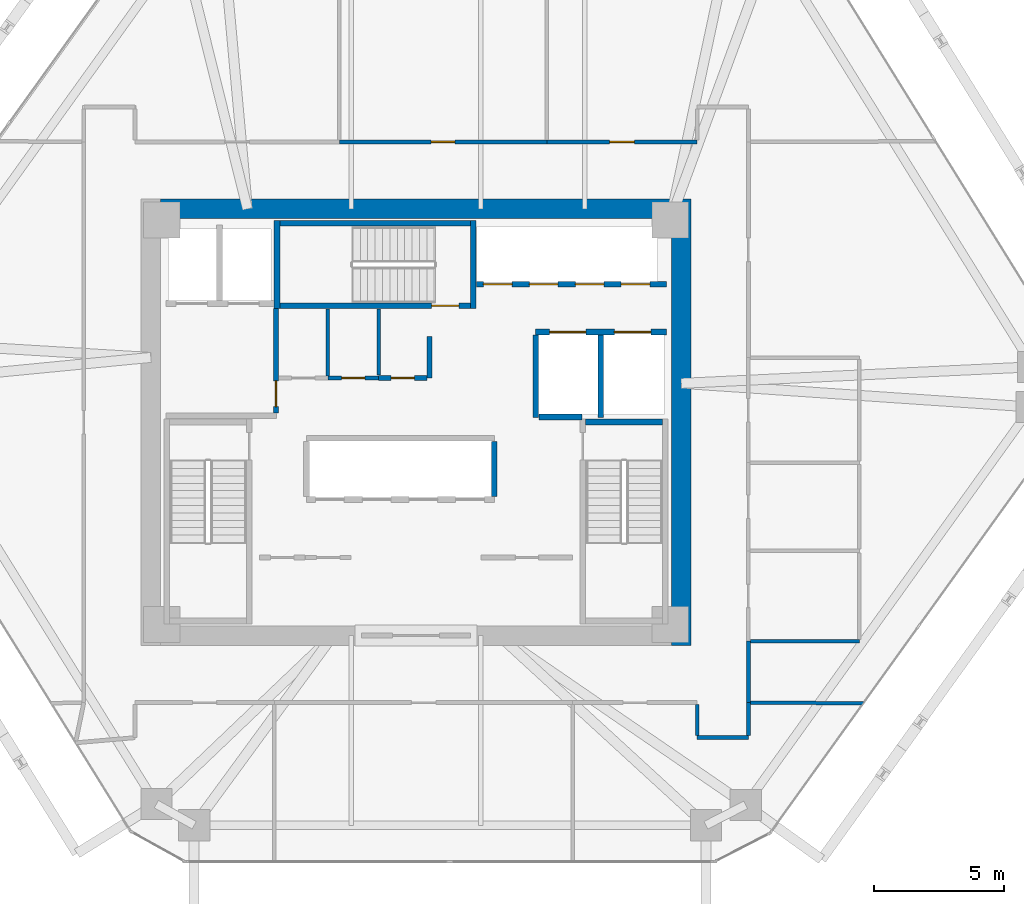
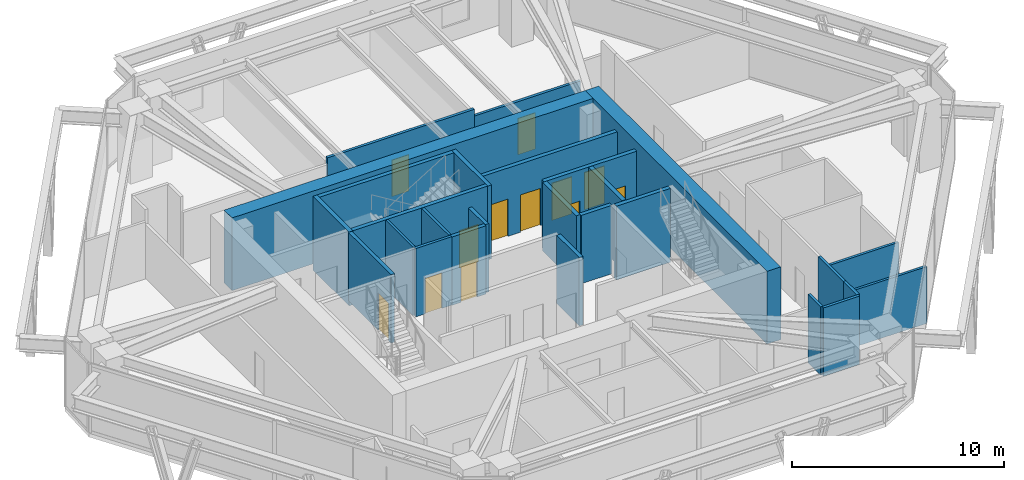
# One storey, part 11 of 14: 27 walls, 12 doors, 12 openings.
"""IFC4 building model written with IfcOpenShell, lengths in metres."""

import ifcopenshell
import ifcopenshell.guid

model = None  # the IFC model being written
_history = None  # IfcOwnerHistory: only IFC2X3 demands one
_inside = {}  # id of a spatial element -> (the spatial element, [elements in it])
_under = {}  # id of a project, library or spatial element -> (it, [spatial elements below it])
_declared = {}  # id of a project -> (the project, [libraries it declares])
_typed = {}  # id of a type object -> (the type object, [elements of that type])
_made_of = {}  # id of a material, layer set ... -> (it, [elements and type objects made of it])


def new_model(schema):
    """Start an empty IFC model of exactly this schema.

    Asked for "IFC4X3", IfcOpenShell would pick the latest addendum, in which some entities
    have other attributes; the version numbers below select the first issue.
    IFC2X3 requires an IfcOwnerHistory on every rooted entity: one is made here for all.
    """
    global model, _history
    if schema == "IFC4X3":
        model = ifcopenshell.file(schema_version=(4, 3, 0, 0))
    else:
        model = ifcopenshell.file(schema=schema)
    _inside.clear()
    _under.clear()
    _declared.clear()
    _typed.clear()
    _made_of.clear()
    _history = None
    if model.schema == "IFC2X3":
        org = make("IfcOrganization", Name="unknown")
        user = make(
            "IfcPersonAndOrganization",
            ThePerson=make("IfcPerson", FamilyName="unknown"),
            TheOrganization=org,
        )
        app = make(
            "IfcApplication",
            ApplicationDeveloper=org,
            Version="unknown",
            ApplicationFullName="unknown",
            ApplicationIdentifier="unknown",
        )
        _history = make(
            "IfcOwnerHistory",
            OwningUser=user,
            OwningApplication=app,
            ChangeAction="ADDED",
            CreationDate=0,
        )
    return model


def make(cls, **values):
    """One entity of the class cls with the attributes given. An attribute that is None is left unset."""
    return model.create_entity(
        cls, **{name: value for name, value in values.items() if value is not None}
    )


def rooted(cls, **values):
    """An entity with a GlobalId (a new one), such as an element, a storey or a relation."""
    return make(cls, GlobalId=ifcopenshell.guid.new(), OwnerHistory=_history, **values)


def si_unit(unit_type, name, prefix=None):
    """IfcSIUnit, for example si_unit("LENGTHUNIT", "METRE", prefix="MILLI")."""
    return make("IfcSIUnit", UnitType=unit_type, Prefix=prefix, Name=name)


def assignment(units):
    """IfcUnitAssignment: the units of a project."""
    return None if units is None else make("IfcUnitAssignment", Units=units)


def point(xyz):
    """IfcCartesianPoint."""
    return None if xyz is None else make("IfcCartesianPoint", Coordinates=xyz)


def direction(xyz):
    """IfcDirection."""
    return None if xyz is None else make("IfcDirection", DirectionRatios=xyz)


def frame(location, z_axis=None, x_axis=None):
    """IfcAxis2Placement3D, a coordinate frame: its origin and axes. An axis left out is left unset."""
    return make(
        "IfcAxis2Placement3D",
        Location=point(location),
        Axis=direction(z_axis),
        RefDirection=direction(x_axis),
    )


def frame_2d(location, x_axis=None):
    """IfcAxis2Placement2D, a coordinate frame in the plane: its origin and x axis."""
    return make(
        "IfcAxis2Placement2D", Location=point(location), RefDirection=direction(x_axis)
    )


def origin():
    """The frame at (0, 0, 0) with its axes left unset."""
    return frame((0.0, 0.0, 0.0))


def place(relative_to, where):
    """IfcLocalPlacement: puts the frame where relative to a parent placement (None: the world)."""
    return make(
        "IfcLocalPlacement", PlacementRelTo=relative_to, RelativePlacement=where
    )


def context(
    kind, dimensions, precision=None, world=None, true_north=None, identifier=None
):
    """IfcGeometricRepresentationContext, for example the 3D "Model" context."""
    return make(
        "IfcGeometricRepresentationContext",
        ContextIdentifier=identifier,
        ContextType=kind,
        CoordinateSpaceDimension=dimensions,
        Precision=precision,
        WorldCoordinateSystem=world,
        TrueNorth=true_north,
    )


def subcontext(parent, identifier, kind, view, scale=None):
    """IfcGeometricRepresentationSubContext, for example "Body" below "Model"."""
    return make(
        "IfcGeometricRepresentationSubContext",
        ContextIdentifier=identifier,
        ContextType=kind,
        ParentContext=parent,
        TargetScale=scale,
        TargetView=view,
    )


def project(units=None, contexts=None):
    """IfcProject with its units and contexts."""
    return rooted(
        "IfcProject",
        Name="project",
        RepresentationContexts=contexts,
        UnitsInContext=assignment(units),
    )


def spatial(cls, under=None, at=None, **own):
    """A site, building, storey or space (cls), placed at a placement, below another one or the project."""
    s = rooted(cls, ObjectPlacement=at, **own)
    if under is not None:
        _under.setdefault(under.id(), (under, []))[1].append(s)
    return s


def profile(cls, at=None, kind="AREA", **sizes):
    """A parametric profile (cls). Its sizes go by their IFC names, for example OverallWidth=200.0."""
    return make(cls, ProfileType=kind, Position=at, **sizes)


def rectangle(**sizes):
    """IfcRectangleProfileDef."""
    return profile("IfcRectangleProfileDef", **sizes)


def extrude(swept, where, along, depth):
    """IfcExtrudedAreaSolid: the profile swept, set in the frame where, extruded along a direction by depth."""
    return make(
        "IfcExtrudedAreaSolid",
        SweptArea=swept,
        Position=where,
        ExtrudedDirection=direction(along),
        Depth=depth,
    )


def shape(context_of_items, identifier, shape_type, items):
    """IfcShapeRepresentation: the items that make up one representation, for example the "Body"."""
    return make(
        "IfcShapeRepresentation",
        ContextOfItems=context_of_items,
        RepresentationIdentifier=identifier,
        RepresentationType=shape_type,
        Items=items,
    )


def source(mapping_origin, context_of_items, identifier, shape_type, items):
    """IfcRepresentationMap: a shape defined once, which mapped items show again and again."""
    return make(
        "IfcRepresentationMap",
        MappingOrigin=mapping_origin,
        MappedRepresentation=shape(context_of_items, identifier, shape_type, items),
    )


def transform(
    local_origin,
    x_axis=None,
    y_axis=None,
    z_axis=None,
    scale=None,
    scale2=None,
    scale3=None,
    uniform=True,
):
    """IfcCartesianTransformationOperator3D, or its non-uniform kind. x_axis, y_axis, z_axis: its Axis1, 2, 3."""
    if uniform:
        return make(
            "IfcCartesianTransformationOperator3D",
            Axis1=direction(x_axis),
            Axis2=direction(y_axis),
            LocalOrigin=point(local_origin),
            Scale=scale,
            Axis3=direction(z_axis),
        )
    return make(
        "IfcCartesianTransformationOperator3DnonUniform",
        Axis1=direction(x_axis),
        Axis2=direction(y_axis),
        LocalOrigin=point(local_origin),
        Scale=scale,
        Axis3=direction(z_axis),
        Scale2=scale2,
        Scale3=scale3,
    )


def mapped(mapping_source, mapping_target):
    """IfcMappedItem: shows the shape of a source again, moved by a transform."""
    return make(
        "IfcMappedItem", MappingSource=mapping_source, MappingTarget=mapping_target
    )


def material(Name=None, Category=None):
    """IfcMaterial."""
    return make("IfcMaterial", Name=Name, Category=Category)


def layer(
    of_material, thickness, ventilated=None, Name=None, Category=None, Priority=None
):
    """IfcMaterialLayer: one layer of a wall or slab, of a material (None: an air gap)."""
    return make(
        "IfcMaterialLayer",
        Material=of_material,
        LayerThickness=thickness,
        IsVentilated=ventilated,
        Name=Name,
        Category=Category,
        Priority=Priority,
    )


def layer_set(layers, Name=None):
    """IfcMaterialLayerSet."""
    return make("IfcMaterialLayerSet", MaterialLayers=layers, LayerSetName=Name)


def made_of(thing, what):
    """Note that an element or type object is made of a material, layer set ...; save() writes the relation."""
    if what is not None:
        _made_of.setdefault(what.id(), (what, []))[1].append(thing)
    return thing


def type_object(cls, material=None, **own):
    """A type object (cls), such as IfcWallType, which elements share."""
    return made_of(rooted(cls, **own), material)


def type_shapes(of_type, sources):
    """Give a type object the sources (RepresentationMaps) that its elements show as mapped items."""
    of_type.RepresentationMaps = sources


def element(
    cls,
    number,
    at=None,
    inside=None,
    cuts=None,
    type_object=None,
    material=None,
    context=None,
    identifier="Body",
    shape_type=None,
    held_by="IfcProductDefinitionShape",
    body=None,
    shapes=None,
    **own,
):
    """One element of the class cls, such as IfcWall. Its Tag is "e" and its number.

    at: its placement. inside: the storey or other place that contains it. cuts: it is an
    opening in that element (IfcRelVoidsElement). A single representation is given by context,
    identifier, shape_type and body (its items); several are given by shapes. held_by: the class
    of the entity that holds the representations. save() writes the other relations.
    """
    e = rooted(cls, Tag="e%d" % number, ObjectPlacement=at, **own)
    if body is not None:
        shapes = [shape(context, identifier, shape_type, body)]
    if shapes is not None:
        e.Representation = make(held_by, Representations=shapes)
    if inside is not None:
        _inside.setdefault(inside.id(), (inside, []))[1].append(e)
    if cuts is not None:
        rooted(
            "IfcRelVoidsElement", RelatingBuildingElement=cuts, RelatedOpeningElement=e
        )
    if type_object is not None:
        _typed.setdefault(type_object.id(), (type_object, []))[1].append(e)
    return made_of(e, material)


def fill(opening, filler):
    """IfcRelFillsElement: the door or window that sits in an opening."""
    return rooted(
        "IfcRelFillsElement",
        RelatingOpeningElement=opening,
        RelatedBuildingElement=filler,
    )


def aggregate(whole, parts):
    """IfcRelAggregates: a whole, such as a stair, and the parts it consists of."""
    return rooted("IfcRelAggregates", RelatingObject=whole, RelatedObjects=parts)


def save(model, path):
    """Write the relations noted so far, then the file.

    IfcRelAggregates (storeys below a building ...), IfcRelContainedInSpatialStructure (elements
    in a storey), IfcRelDefinesByType, IfcRelAssociatesMaterial and IfcRelDeclares: one each for
    every whole, place, type object, material and project.
    """
    for whole, parts in _under.values():
        aggregate(whole, parts)
    for where, things in _inside.values():
        rooted(
            "IfcRelContainedInSpatialStructure",
            RelatedElements=things,
            RelatingStructure=where,
        )
    for kind, things in _typed.values():
        rooted("IfcRelDefinesByType", RelatedObjects=things, RelatingType=kind)
    for what, things in _made_of.values():
        rooted("IfcRelAssociatesMaterial", RelatedObjects=things, RelatingMaterial=what)
    for by, libraries in _declared.values():
        rooted("IfcRelDeclares", RelatingContext=by, RelatedDefinitions=libraries)
    model.write(path)


model = new_model("IFC4")

# Units and contexts
model_context = context("Model", 3, precision=1e-05, world=origin(), true_north=direction((0.0, 1.0)))
body_context = subcontext(model_context, "Body", "Model", "MODEL_VIEW")
ifc_project = project(units=[si_unit("LENGTHUNIT", "METRE"), si_unit("AREAUNIT", "SQUARE_METRE"), si_unit("VOLUMEUNIT", "CUBIC_METRE"), si_unit("PLANEANGLEUNIT", "RADIAN"), si_unit("MASSUNIT", "GRAM", prefix="KILO")], contexts=[model_context])

# Site, building, storey
site_placement = place(None, origin())
site = spatial("IfcSite", under=ifc_project, at=site_placement, CompositionType="ELEMENT")
building_placement = place(site_placement, origin())
building = spatial("IfcBuilding", under=site, at=building_placement, Name="Durnholm Broadcast Tower", CompositionType="ELEMENT")
storey_placement = place(building_placement, frame((0.0, 0.0, 93.300048828125)))
storey = spatial("IfcBuildingStorey", under=building, at=storey_placement, Name="L24", CompositionType="ELEMENT", Elevation=93.300048828125)

# Walls
ifc_material_1 = material(Name="Concrete C70/85", Category="concrete")
ifc_layer_1 = layer(ifc_material_1, 0.75)
ifc_layer_set_1 = layer_set([ifc_layer_1], Name="Concrete C70/85")
wall_type_1 = type_object("IfcWallType", Name="WALL-CW-750", PredefinedType="SHEAR", material=ifc_layer_set_1)
wall_1_placement = place(storey_placement, frame((10.22509765625, -8.60009765625, 0.0), z_axis=(0.0, 0.0, 1.0), x_axis=(0.0, 1.0, 0.0)))
element("IfcWall", 1, at=wall_1_placement, inside=storey, type_object=wall_type_1, Name="L24 central core shear wall CW-EAST", PredefinedType="SHEAR", context=body_context, shape_type="SweptSolid", body=[
    extrude(rectangle(XDim=17.2001953125, YDim=0.75, at=frame_2d((8.60009765625, 0.0))), origin(), (0.0, 0.0, 1.0), 4.199951171875),
])
wall_2_placement = place(storey_placement, frame((-9.85009765625, 8.22509765625, 0.0), z_axis=(0.0, 0.0, 1.0), x_axis=(1.0, 0.0, 0.0)))
element("IfcWall", 2, at=wall_2_placement, inside=storey, type_object=wall_type_1, Name="L24 central core shear wall CW-N", PredefinedType="SHEAR", context=body_context, shape_type="SweptSolid", body=[
    extrude(rectangle(XDim=19.7001953125, YDim=0.75, at=frame_2d((9.85009765625, 0.0))), origin(), (0.0, 0.0, 1.0), 4.199951171875),
])

# Wall, opening, door
ifc_material_2 = material(Name="Fire-Rated Gypsum Shaftwall", Category="concrete")
ifc_layer_2 = layer(ifc_material_2, 0.199951171875)
ifc_layer_set_2 = layer_set([ifc_layer_2], Name="Fire-Rated Gypsum Shaftwall")
wall_type_2 = type_object("IfcWallType", Name="WALL-LOB-200", PredefinedType="SOLIDWALL", material=ifc_layer_set_2)
wall_3_placement = place(storey_placement, frame((-5.39990234375, 0.35400390625, 0.0), z_axis=(0.0, 0.0, 1.0), x_axis=(0.0, 1.0, 0.0)))
wall_3 = element("IfcWall", 3, at=wall_3_placement, inside=storey, type_object=wall_type_2, Name="L24 Fire Service Access Elevator lobby east fire wall", PredefinedType="SOLIDWALL", context=body_context, shape_type="SweptSolid", body=[
    extrude(rectangle(XDim=4.02587890625, YDim=0.199951171875, at=frame_2d((2.012939453125, 0.0))), origin(), (0.0, 0.0, 1.0), 3.945068359375),
])
opening_1_placement = place(wall_3_placement, frame((0.24609375, 0.0, 0.0)))
opening_1 = element("IfcOpeningElement", 4, at=opening_1_placement, cuts=wall_3, Name="Opening DL-60L", PredefinedType="OPENING", context=body_context, shape_type="SweptSolid", body=[
    extrude(rectangle(XDim=1.0, YDim=2.14990234375, at=frame_2d((0.5, 1.074951171875))), frame((0.0, 0.10986328125, 0.0), z_axis=(0.0, -1.0, 0.0), x_axis=(1.0, 0.0, 0.0)), (0.0, 0.0, 1.0), 0.219970703125),
])
ifc_material_3 = material(Name="Fire-Rated Timber/Steel Door", Category="steel")
ifc_layer_3 = layer(ifc_material_3, 0.050048828125)
ifc_layer_set_3 = layer_set([ifc_layer_3], Name="Fire-Rated Timber/Steel Door")
door_type_1 = type_object("IfcDoorType", Name="DOOR-LOB-FD60-L", OperationType="NOTDEFINED", PredefinedType="DOOR", material=ifc_layer_set_3)
shared_shape_1 = source(origin(), body_context, "Body", "SweptSolid", [
    extrude(rectangle(XDim=1.0, YDim=2.14990234375, at=frame_2d((0.5, 1.074951171875))), frame((0.0, 0.02490234375, 0.0), z_axis=(0.0, -1.0, 0.0), x_axis=(1.0, 0.0, 0.0)), (0.0, 0.0, 1.0), 0.050048828125),
])
type_shapes(door_type_1, [shared_shape_1])
door_1_placement = place(opening_1_placement, origin())
door_1 = element("IfcDoor", 5, at=door_1_placement, inside=storey, type_object=door_type_1, Name="L24 Fire Service Access Elevator lobby smoke door", OperationType="SINGLE_SWING_LEFT", OverallHeight=2.14990234375, OverallWidth=1.0, PredefinedType="DOOR", context=body_context, shape_type="MappedRepresentation", body=[
    mapped(shared_shape_1, transform((0.0, 0.0, 0.0), x_axis=(1.0, 0.0, 0.0), y_axis=(0.0, 1.0, 0.0), z_axis=(0.0, 0.0, 1.0), scale=1.0)),
])
fill(opening_1, door_1)

# Wall
wall_4_placement = place(storey_placement, frame((0.52001953125, 3.300048828125, 0.0), z_axis=(0.0, 0.0, 1.0), x_axis=(0.0, -1.0, 0.0)))
element("IfcWall", 6, at=wall_4_placement, inside=storey, type_object=wall_type_2, Name="L24 Core Telecom Patch Room corridor partition", PredefinedType="SOLIDWALL", context=body_context, shape_type="SweptSolid", body=[
    extrude(rectangle(XDim=1.590087890625, YDim=0.199951171875, at=frame_2d((0.794921875, 0.0))), origin(), (0.0, 0.0, 1.0), 3.945068359375),
])

# Wall, opening, door
wall_5_placement = place(storey_placement, frame((0.416015625, 1.7099609375, 0.0), z_axis=(0.0, 0.0, 1.0), x_axis=(-1.0, 0.0, 0.0)))
wall_5 = element("IfcWall", 7, at=wall_5_placement, inside=storey, type_object=wall_type_2, Name="L24 Core Telecom Patch Room corridor partition", PredefinedType="SOLIDWALL", context=body_context, shape_type="SweptSolid", body=[
    extrude(rectangle(XDim=1.85595703125, YDim=0.199951171875, at=frame_2d((0.927978515625, 0.0))), origin(), (0.0, 0.0, 1.0), 3.945068359375),
])
opening_2_placement = place(wall_5_placement, frame((0.47802734375, 0.0, 0.0)))
opening_2 = element("IfcOpeningElement", 8, at=opening_2_placement, cuts=wall_5, Name="Opening DC-60L", PredefinedType="OPENING", context=body_context, shape_type="SweptSolid", body=[
    extrude(rectangle(XDim=0.89990234375, YDim=2.050048828125, at=frame_2d((0.449951171875, 1.02490234375))), frame((0.0, 0.10986328125, 0.0), z_axis=(0.0, -1.0, 0.0), x_axis=(1.0, 0.0, 0.0)), (0.0, 0.0, 1.0), 0.219970703125),
])
ifc_material_4 = material(Name="Fire-Rated Core Service Door", Category="steel")
ifc_layer_4 = layer(ifc_material_4, 0.050048828125)
ifc_layer_set_4 = layer_set([ifc_layer_4], Name="Fire-Rated Core Service Door")
door_type_2 = type_object("IfcDoorType", Name="DOOR-CORE-FD60-L", OperationType="NOTDEFINED", PredefinedType="DOOR", material=ifc_layer_set_4)
shared_shape_2 = source(origin(), body_context, "Body", "SweptSolid", [
    extrude(rectangle(XDim=0.89990234375, YDim=2.050048828125, at=frame_2d((0.449951171875, 1.02490234375))), frame((0.0, 0.02490234375, 0.0), z_axis=(0.0, -1.0, 0.0), x_axis=(1.0, 0.0, 0.0)), (0.0, 0.0, 1.0), 0.050048828125),
])
type_shapes(door_type_2, [shared_shape_2])
door_2_placement = place(opening_2_placement, origin())
door_2 = element("IfcDoor", 9, at=door_2_placement, inside=storey, type_object=door_type_2, Name="L24 Core Telecom Patch Room entrance door", OperationType="SINGLE_SWING_LEFT", OverallHeight=2.050048828125, OverallWidth=0.89990234375, PredefinedType="DOOR", context=body_context, shape_type="MappedRepresentation", body=[
    mapped(shared_shape_2, transform((0.0, 0.0, 0.0), x_axis=(1.0, 0.0, 0.0), y_axis=(0.0, 1.0, 0.0), z_axis=(0.0, 0.0, 1.0), scale=1.0)),
])
fill(opening_2, door_2)

# Walls
ifc_material_5 = material(Name="Gypsum Metal Stud Partition", Category="concrete")
ifc_layer_5 = layer(ifc_material_5, 0.135009765625)
ifc_layer_set_5 = layer_set([ifc_layer_5], Name="Gypsum Metal Stud Partition")
wall_type_3 = type_object("IfcWallType", Name="WALL-PART-135", PredefinedType="PARTITIONING", material=ifc_layer_set_5)
wall_6_placement = place(storey_placement, frame((-3.39990234375, 4.375, 0.0), z_axis=(0.0, 0.0, 1.0), x_axis=(0.0, -1.0, 0.0)))
element("IfcWall", 10, at=wall_6_placement, inside=storey, type_object=wall_type_3, Name="L24 room dividing partition 4.5", PredefinedType="PARTITIONING", context=body_context, shape_type="SweptSolid", body=[
    extrude(rectangle(XDim=2.5859375, YDim=0.135009765625, at=frame_2d((1.29296875, 0.0))), origin(), (0.0, 0.0, 1.0), 3.945068359375),
])
wall_7_placement = place(storey_placement, frame((-1.43994140625, 4.375, 0.0), z_axis=(0.0, 0.0, 1.0), x_axis=(0.0, -1.0, 0.0)))
element("IfcWall", 11, at=wall_7_placement, inside=storey, type_object=wall_type_3, Name="L24 room dividing partition 5.6", PredefinedType="PARTITIONING", context=body_context, shape_type="SweptSolid", body=[
    extrude(rectangle(XDim=2.56103515625, YDim=0.135009765625, at=frame_2d((1.280517578125, 0.0))), origin(), (0.0, 0.0, 1.0), 3.945068359375),
])
wall_8_placement = place(storey_placement, frame((12.888916015625, -10.810302734375, 0.0), z_axis=(0.0, 0.0, 1.0), x_axis=(0.999986140562, -0.005264853658, 0.0)))
element("IfcWall", 12, at=wall_8_placement, inside=storey, type_object=wall_type_3, Name="L24 room dividing partition 15.17", PredefinedType="PARTITIONING", context=body_context, shape_type="SweptSolid", body=[
    extrude(rectangle(XDim=4.35888671875, YDim=0.135009765625, at=frame_2d((2.179443359375, 0.0))), origin(), (0.0, 0.0, 1.0), 3.280029296875),
])

# Wall, opening, door
ifc_material_6 = material(Name="Acoustic Gypsum Stud Partition", Category="concrete")
ifc_layer_6 = layer(ifc_material_6, 0.14990234375)
ifc_layer_set_6 = layer_set([ifc_layer_6], Name="Acoustic Gypsum Stud Partition")
wall_type_4 = type_object("IfcWallType", Name="WALL-PART-150", PredefinedType="PARTITIONING", material=ifc_layer_set_6)
wall_9_placement = place(storey_placement, frame((-1.43994140625, 1.7099609375, 0.0), z_axis=(0.0, 0.0, 1.0), x_axis=(-1.0, 0.0, 0.0)))
wall_9 = element("IfcWall", 13, at=wall_9_placement, inside=storey, type_object=wall_type_4, Name="L24 Core Janitor Supply Closet corridor partition", PredefinedType="PARTITIONING", context=body_context, shape_type="SweptSolid", body=[
    extrude(rectangle(XDim=1.9599609375, YDim=0.14990234375, at=frame_2d((0.97998046875, 0.0))), origin(), (0.0, 0.0, 1.0), 3.945068359375),
])
opening_3_placement = place(wall_9_placement, frame((0.530029296875, 0.0, 0.0)))
opening_3 = element("IfcOpeningElement", 14, at=opening_3_placement, cuts=wall_9, Name="Opening DC-60R", PredefinedType="OPENING", context=body_context, shape_type="SweptSolid", body=[
    extrude(rectangle(XDim=0.89990234375, YDim=2.050048828125, at=frame_2d((0.449951171875, 1.02490234375))), frame((0.0, 0.0849609375, 0.0), z_axis=(0.0, -1.0, 0.0), x_axis=(1.0, 0.0, 0.0)), (0.0, 0.0, 1.0), 0.169921875),
])
ifc_layer_7 = layer(ifc_material_4, 0.050048828125)
ifc_layer_set_7 = layer_set([ifc_layer_7], Name="Fire-Rated Core Service Door")
door_type_3 = type_object("IfcDoorType", Name="DOOR-CORE-FD60-R", OperationType="NOTDEFINED", PredefinedType="DOOR", material=ifc_layer_set_7)
shared_shape_3 = source(origin(), body_context, "Body", "SweptSolid", [
    extrude(rectangle(XDim=0.89990234375, YDim=2.050048828125, at=frame_2d((0.449951171875, 1.02490234375))), frame((0.0, 0.02490234375, 0.0), z_axis=(0.0, -1.0, 0.0), x_axis=(1.0, 0.0, 0.0)), (0.0, 0.0, 1.0), 0.050048828125),
])
type_shapes(door_type_3, [shared_shape_3])
door_3_placement = place(opening_3_placement, origin())
door_3 = element("IfcDoor", 15, at=door_3_placement, inside=storey, type_object=door_type_3, Name="L24 Core Janitor Supply Closet entrance door", OperationType="SINGLE_SWING_RIGHT", OverallHeight=2.050048828125, OverallWidth=0.89990234375, PredefinedType="DOOR", context=body_context, shape_type="MappedRepresentation", body=[
    mapped(shared_shape_3, transform((0.0, 0.0, 0.0), x_axis=(1.0, 0.0, 0.0), y_axis=(0.0, 1.0, 0.0), z_axis=(0.0, 0.0, 1.0), scale=1.0)),
])
fill(opening_3, door_3)

wall_10_placement = place(storey_placement, frame((5.0400390625, 10.81005859375, 0.0), z_axis=(0.0, 0.0, 1.0), x_axis=(-1.0, 0.0, 0.0)))
wall_10 = element("IfcWall", 16, at=wall_10_placement, inside=storey, type_object=wall_type_4, Name="L24 Broadcast Espresso Dining Room corridor partition", PredefinedType="PARTITIONING", context=body_context, shape_type="SweptSolid", body=[
    extrude(rectangle(XDim=8.0, YDim=0.14990234375, at=frame_2d((4.0, 0.0))), origin(), (0.0, 0.0, 1.0), 3.50830078125),
])
opening_4_placement = place(wall_10_placement, frame((3.5400390625, 0.0, 0.0)))
opening_4 = element("IfcOpeningElement", 17, at=opening_4_placement, cuts=wall_10, Name="Opening DR-92R", PredefinedType="OPENING", context=body_context, shape_type="SweptSolid", body=[
    extrude(rectangle(XDim=0.919921875, YDim=2.10009765625, at=frame_2d((0.4599609375, 1.050048828125))), frame((0.0, 0.0849609375, 0.0), z_axis=(0.0, -1.0, 0.0), x_axis=(1.0, 0.0, 0.0)), (0.0, 0.0, 1.0), 0.169921875),
])
ifc_material_7 = material(Name="Oak Veneer Office Door", Category="wood")
ifc_layer_8 = layer(ifc_material_7, 0.050048828125)
ifc_layer_set_8 = layer_set([ifc_layer_8], Name="Oak Veneer Office Door")
door_type_4 = type_object("IfcDoorType", Name="DOOR-RM-920R", OperationType="NOTDEFINED", PredefinedType="DOOR", material=ifc_layer_set_8)
shared_shape_4 = source(origin(), body_context, "Body", "SweptSolid", [
    extrude(rectangle(XDim=0.919921875, YDim=2.10009765625, at=frame_2d((0.4599609375, 1.050048828125))), frame((0.0, 0.02490234375, 0.0), z_axis=(0.0, -1.0, 0.0), x_axis=(1.0, 0.0, 0.0)), (0.0, 0.0, 1.0), 0.050048828125),
])
type_shapes(door_type_4, [shared_shape_4])
door_4_placement = place(opening_4_placement, origin())
door_4 = element("IfcDoor", 18, at=door_4_placement, inside=storey, type_object=door_type_4, Name="L24 Broadcast Espresso Dining Room entrance door", OperationType="SINGLE_SWING_RIGHT", OverallHeight=2.10009765625, OverallWidth=0.919921875, PredefinedType="DOOR", context=body_context, shape_type="MappedRepresentation", body=[
    mapped(shared_shape_4, transform((0.0, 0.0, 0.0), x_axis=(1.0, 0.0, 0.0), y_axis=(0.0, 1.0, 0.0), z_axis=(0.0, 0.0, 1.0), scale=1.0)),
])
fill(opening_4, door_4)

wall_11_placement = place(storey_placement, frame((10.840087890625, 10.81005859375, 0.0), z_axis=(0.0, 0.0, 1.0), x_axis=(-1.0, 0.0, 0.0)))
wall_11 = element("IfcWall", 19, at=wall_11_placement, inside=storey, type_object=wall_type_4, Name="L24 Sky Terrace Lounge corridor partition", PredefinedType="PARTITIONING", context=body_context, shape_type="SweptSolid", body=[
    extrude(rectangle(XDim=5.800048828125, YDim=0.14990234375, at=frame_2d((2.89990234375, 0.0))), origin(), (0.0, 0.0, 1.0), 3.112060546875),
])
opening_5_placement = place(wall_11_placement, frame((2.425048828125, 0.0, 0.0)))
opening_5 = element("IfcOpeningElement", 20, at=opening_5_placement, cuts=wall_11, Name="Opening DR-95L", PredefinedType="OPENING", context=body_context, shape_type="SweptSolid", body=[
    extrude(rectangle(XDim=0.949951171875, YDim=2.10009765625, at=frame_2d((0.47509765625, 1.050048828125))), frame((0.0, 0.0849609375, 0.0), z_axis=(0.0, -1.0, 0.0), x_axis=(1.0, 0.0, 0.0)), (0.0, 0.0, 1.0), 0.169921875),
])
ifc_material_8 = material(Name="Acoustic Oak Veneer Timber Door", Category="wood")
ifc_layer_9 = layer(ifc_material_8, 0.050048828125)
ifc_layer_set_9 = layer_set([ifc_layer_9], Name="Acoustic Oak Veneer Timber Door")
door_type_5 = type_object("IfcDoorType", Name="DOOR-RM-950L", OperationType="NOTDEFINED", PredefinedType="DOOR", material=ifc_layer_set_9)
shared_shape_5 = source(origin(), body_context, "Body", "SweptSolid", [
    extrude(rectangle(XDim=0.949951171875, YDim=2.10009765625, at=frame_2d((0.47509765625, 1.050048828125))), frame((0.0, 0.02490234375, 0.0), z_axis=(0.0, -1.0, 0.0), x_axis=(1.0, 0.0, 0.0)), (0.0, 0.0, 1.0), 0.050048828125),
])
type_shapes(door_type_5, [shared_shape_5])
door_5_placement = place(opening_5_placement, origin())
door_5 = element("IfcDoor", 21, at=door_5_placement, inside=storey, type_object=door_type_5, Name="L24 Sky Terrace Lounge entrance door", OperationType="SINGLE_SWING_LEFT", OverallHeight=2.10009765625, OverallWidth=0.949951171875, PredefinedType="DOOR", context=body_context, shape_type="MappedRepresentation", body=[
    mapped(shared_shape_5, transform((0.0, 0.0, 0.0), x_axis=(1.0, 0.0, 0.0), y_axis=(0.0, 1.0, 0.0), z_axis=(0.0, 0.0, 1.0), scale=1.0)),
])
fill(opening_5, door_5)

# Walls
wall_12_placement = place(storey_placement, frame((10.840087890625, -12.159912109375, 0.0), z_axis=(0.0, 0.0, 1.0), x_axis=(1.0, 0.0, 0.0)))
element("IfcWall", 22, at=wall_12_placement, inside=storey, type_object=wall_type_4, Name="L24 Sky Barista Kitchen corridor partition", PredefinedType="PARTITIONING", context=body_context, shape_type="SweptSolid", body=[
    extrude(rectangle(XDim=1.969970703125, YDim=0.14990234375, at=frame_2d((0.98486328125, 0.0))), origin(), (0.0, 0.0, 1.0), 3.945068359375),
])
wall_13_placement = place(storey_placement, frame((10.840087890625, -10.888916015625, 0.0), z_axis=(0.0, 0.0, 1.0), x_axis=(0.0, -1.0, 0.0)))
element("IfcWall", 23, at=wall_13_placement, inside=storey, type_object=wall_type_4, Name="L24 Sky Barista Kitchen corridor partition", PredefinedType="PARTITIONING", context=body_context, shape_type="SweptSolid", body=[
    extrude(rectangle(XDim=1.192138671875, YDim=0.14990234375, at=frame_2d((0.59619140625, 0.0))), origin(), (0.0, 0.0, 1.0), 3.945068359375),
])
wall_14_placement = place(storey_placement, frame((12.81005859375, -12.0810546875, 0.0), z_axis=(0.0, 0.0, 1.0), x_axis=(0.0, 1.0, 0.0)))
element("IfcWall", 24, at=wall_14_placement, inside=storey, type_object=wall_type_4, Name="L24 Sky Barista Kitchen corridor partition", PredefinedType="PARTITIONING", context=body_context, shape_type="SweptSolid", body=[
    extrude(rectangle(XDim=1.27099609375, YDim=0.14990234375, at=frame_2d((0.635498046875, 0.0))), origin(), (0.0, 0.0, 1.0), 3.945068359375),
])
wall_15_placement = place(storey_placement, frame((12.81005859375, -10.81005859375, 0.0), z_axis=(0.0, 0.0, 1.0), x_axis=(0.0, 1.0, 0.0)))
element("IfcWall", 25, at=wall_15_placement, inside=storey, type_object=wall_type_4, Name="L24 Broadcast Espresso Dining Room corridor partition", PredefinedType="PARTITIONING", context=body_context, shape_type="SweptSolid", body=[
    extrude(rectangle(XDim=2.3701171875, YDim=0.14990234375, at=frame_2d((1.18505859375, 0.0))), origin(), (0.0, 0.0, 1.0), 3.945068359375),
])

# Wall, openings, doors
ifc_material_9 = material(Name="Concrete Blockwork C30/37", Category="masonry")
ifc_layer_10 = layer(ifc_material_9, 0.219970703125)
ifc_layer_set_10 = layer_set([ifc_layer_10], Name="Concrete Blockwork C30/37")
wall_type_5 = type_object("IfcWallType", Name="WALL-SHAFT-220", PredefinedType="SOLIDWALL", material=ifc_layer_set_10)
wall_16_placement = place(storey_placement, frame((4.60009765625, 3.47998046875, 0.0), z_axis=(0.0, 0.0, 1.0), x_axis=(1.0, 0.0, 0.0)))
wall_16 = element("IfcWall", 26, at=wall_16_placement, inside=storey, type_object=wall_type_5, Name="L24 freight service lifts north front wall", PredefinedType="SOLIDWALL", context=body_context, shape_type="SweptSolid", body=[
    extrude(rectangle(XDim=5.0498046875, YDim=0.219970703125, at=frame_2d((2.52490234375, 0.0))), origin(), (0.0, 0.0, 1.0), 3.945068359375),
])
opening_6_placement = place(wall_16_placement, frame((0.550048828125, 0.0, 0.0)))
opening_6 = element("IfcOpeningElement", 27, at=opening_6_placement, cuts=wall_16, Name="Opening LD-SVL-2", PredefinedType="OPENING", context=body_context, shape_type="SweptSolid", body=[
    extrude(rectangle(XDim=1.39990234375, YDim=2.14990234375, at=frame_2d((0.699951171875, 1.074951171875))), frame((0.0, 0.1201171875, 0.0), z_axis=(0.0, -1.0, 0.0), x_axis=(1.0, 0.0, 0.0)), (0.0, 0.0, 1.0), 0.239990234375),
])
opening_7_placement = place(wall_16_placement, frame((3.050048828125, 0.0, 0.0)))
opening_7 = element("IfcOpeningElement", 28, at=opening_7_placement, cuts=wall_16, Name="Opening LD-SVL-1", PredefinedType="OPENING", context=body_context, shape_type="SweptSolid", body=[
    extrude(rectangle(XDim=1.39990234375, YDim=2.14990234375, at=frame_2d((0.699951171875, 1.074951171875))), frame((0.0, 0.1201171875, 0.0), z_axis=(0.0, -1.0, 0.0), x_axis=(1.0, 0.0, 0.0)), (0.0, 0.0, 1.0), 0.239990234375),
])
ifc_material_10 = material(Name="Freight Elevator Bi-Parting Sliding Landing Door", Category="steel")
ifc_layer_11 = layer(ifc_material_10, 0.050048828125)
ifc_layer_set_11 = layer_set([ifc_layer_11], Name="Freight Elevator Bi-Parting Sliding Landing Door")
door_type_6 = type_object("IfcDoorType", Name="DOOR-LIFT-SVL", OperationType="DOUBLE_DOOR_SLIDING", PredefinedType="DOOR", material=ifc_layer_set_11)
shared_shape_6 = source(origin(), body_context, "Body", "SweptSolid", [
    extrude(rectangle(XDim=1.39990234375, YDim=2.14990234375, at=frame_2d((0.699951171875, 1.074951171875))), frame((0.0, 0.02490234375, 0.0), z_axis=(0.0, -1.0, 0.0), x_axis=(1.0, 0.0, 0.0)), (0.0, 0.0, 1.0), 0.050048828125),
])
type_shapes(door_type_6, [shared_shape_6])
door_6_placement = place(opening_6_placement, origin())
door_6 = element("IfcDoor", 29, at=door_6_placement, inside=storey, type_object=door_type_6, Name="L24 freight service elevator SVL-2 sliding landing door", OperationType="DOUBLE_DOOR_SLIDING", OverallHeight=2.14990234375, OverallWidth=1.39990234375, PredefinedType="DOOR", context=body_context, shape_type="MappedRepresentation", body=[
    mapped(shared_shape_6, transform((0.0, 0.0, 0.0), x_axis=(1.0, 0.0, 0.0), y_axis=(0.0, 1.0, 0.0), z_axis=(0.0, 0.0, 1.0), scale=1.0)),
])
fill(opening_6, door_6)
door_7_placement = place(opening_7_placement, origin())
door_7 = element("IfcDoor", 30, at=door_7_placement, inside=storey, type_object=door_type_6, Name="L24 freight service elevator SVL-1 sliding landing door", OperationType="DOUBLE_DOOR_SLIDING", OverallHeight=2.14990234375, OverallWidth=1.39990234375, PredefinedType="DOOR", context=body_context, shape_type="MappedRepresentation", body=[
    mapped(shared_shape_6, transform((0.0, 0.0, 0.0), x_axis=(1.0, 0.0, 0.0), y_axis=(0.0, 1.0, 0.0), z_axis=(0.0, 0.0, 1.0), scale=1.0)),
])
fill(opening_7, door_7)

# Walls
for number, where, z_axis, x_axis, name in (
    (31, (4.6201171875, 0.179931640625, 0.0), (0.0, 0.0, 1.0), (0.0, 1.0, 0.0), "L24 freight service lift SVL-2 west wall"),
    (32, (7.1201171875, 0.179931640625, 0.0), (0.0, 0.0, 1.0), (0.0, 1.0, 0.0), "L24 freight service lifts divider wall"),
):
    element("IfcWall", number, at=place(storey_placement, frame(where, z_axis=z_axis, x_axis=x_axis)), inside=storey, type_object=wall_type_5, Name=name, PredefinedType="SOLIDWALL", context=body_context, shape_type="SweptSolid", body=[
        extrude(rectangle(XDim=3.18603515625, YDim=0.219970703125, at=frame_2d((1.593017578125, 0.0))), origin(), (0.0, 0.0, 1.0), 3.945068359375),
    ])
wall_17_placement = place(storey_placement, frame((4.73388671875, 0.199951171875, 0.0), z_axis=(0.0, 0.0, 1.0), x_axis=(1.0, 0.0, 0.0)))
element("IfcWall", 33, at=wall_17_placement, inside=storey, type_object=wall_type_5, Name="L24 freight service lift SVL-2 south wall", PredefinedType="SOLIDWALL", context=body_context, shape_type="SweptSolid", body=[
    extrude(rectangle(XDim=1.666015625, YDim=0.219970703125, at=frame_2d((0.8330078125, 0.0))), origin(), (0.0, 0.0, 1.0), 3.945068359375),
])
wall_18_placement = place(storey_placement, frame((3.02001953125, -2.865966796875, 0.0), z_axis=(0.0, 0.0, 1.0), x_axis=(0.0, 1.0, 0.0)))
element("IfcWall", 34, at=wall_18_placement, inside=storey, type_object=wall_type_5, Name="L24 mid-rise bank P2 east shaft wall", PredefinedType="SOLIDWALL", context=body_context, shape_type="SweptSolid", body=[
    extrude(rectangle(XDim=2.132080078125, YDim=0.219970703125, at=frame_2d((1.06591796875, 0.0))), origin(), (0.0, 0.0, 1.0), 3.945068359375),
])

# Wall, openings, doors
wall_19_placement = place(storey_placement, frame((2.324951171875, 5.320068359375, 0.0), z_axis=(0.0, 0.0, 1.0), x_axis=(1.0, 0.0, 0.0)))
wall_19 = element("IfcWall", 35, at=wall_19_placement, inside=storey, type_object=wall_type_5, Name="L24 high-rise bank P3 south front wall", PredefinedType="SOLIDWALL", context=body_context, shape_type="SweptSolid", body=[
    extrude(rectangle(XDim=7.324951171875, YDim=0.219970703125, at=frame_2d((3.66259765625, 0.0))), origin(), (0.0, 0.0, 1.0), 3.945068359375),
])
opening_8_placement = place(wall_19_placement, frame((0.27490234375, 0.0, 0.0)))
opening_8 = element("IfcOpeningElement", 36, at=opening_8_placement, cuts=wall_19, Name="Opening LD-LP3-1", PredefinedType="OPENING", context=body_context, shape_type="SweptSolid", body=[
    extrude(rectangle(XDim=1.10009765625, YDim=2.14990234375, at=frame_2d((0.550048828125, 1.074951171875))), frame((0.0, 0.1201171875, 0.0), z_axis=(0.0, -1.0, 0.0), x_axis=(1.0, 0.0, 0.0)), (0.0, 0.0, 1.0), 0.239990234375),
])
opening_9_placement = place(wall_19_placement, frame((2.044921875, 0.0, 0.0)))
opening_9 = element("IfcOpeningElement", 37, at=opening_9_placement, cuts=wall_19, Name="Opening LD-LP3-2", PredefinedType="OPENING", context=body_context, shape_type="SweptSolid", body=[
    extrude(rectangle(XDim=1.10009765625, YDim=2.14990234375, at=frame_2d((0.550048828125, 1.074951171875))), frame((0.0, 0.1201171875, 0.0), z_axis=(0.0, -1.0, 0.0), x_axis=(1.0, 0.0, 0.0)), (0.0, 0.0, 1.0), 0.239990234375),
])
opening_10_placement = place(wall_19_placement, frame((3.81494140625, 0.0, 0.0)))
opening_10 = element("IfcOpeningElement", 38, at=opening_10_placement, cuts=wall_19, Name="Opening LD-LP3-3", PredefinedType="OPENING", context=body_context, shape_type="SweptSolid", body=[
    extrude(rectangle(XDim=1.10009765625, YDim=2.14990234375, at=frame_2d((0.550048828125, 1.074951171875))), frame((0.0, 0.1201171875, 0.0), z_axis=(0.0, -1.0, 0.0), x_axis=(1.0, 0.0, 0.0)), (0.0, 0.0, 1.0), 0.239990234375),
])
opening_11_placement = place(wall_19_placement, frame((5.5849609375, 0.0, 0.0)))
opening_11 = element("IfcOpeningElement", 39, at=opening_11_placement, cuts=wall_19, Name="Opening LD-LP3-4", PredefinedType="OPENING", context=body_context, shape_type="SweptSolid", body=[
    extrude(rectangle(XDim=1.10009765625, YDim=2.14990234375, at=frame_2d((0.550048828125, 1.074951171875))), frame((0.0, 0.1201171875, 0.0), z_axis=(0.0, -1.0, 0.0), x_axis=(1.0, 0.0, 0.0)), (0.0, 0.0, 1.0), 0.239990234375),
])
ifc_material_11 = material(Name="Stainless Steel Sliding Elevator Landing Door", Category="steel")
ifc_layer_12 = layer(ifc_material_11, 0.050048828125)
ifc_layer_set_12 = layer_set([ifc_layer_12], Name="Stainless Steel Sliding Elevator Landing Door")
door_type_7 = type_object("IfcDoorType", Name="DOOR-LIFT-PAX", OperationType="DOUBLE_DOOR_SLIDING", PredefinedType="DOOR", material=ifc_layer_set_12)
shared_shape_7 = source(origin(), body_context, "Body", "SweptSolid", [
    extrude(rectangle(XDim=1.10009765625, YDim=2.14990234375, at=frame_2d((0.550048828125, 1.074951171875))), frame((0.0, 0.02490234375, 0.0), z_axis=(0.0, -1.0, 0.0), x_axis=(1.0, 0.0, 0.0)), (0.0, 0.0, 1.0), 0.050048828125),
])
type_shapes(door_type_7, [shared_shape_7])
door_8_placement = place(opening_8_placement, origin())
door_8 = element("IfcDoor", 40, at=door_8_placement, inside=storey, type_object=door_type_7, Name="L24 high-rise elevator LP3-1 sliding landing door", OperationType="DOUBLE_DOOR_SLIDING", OverallHeight=2.14990234375, OverallWidth=1.10009765625, PredefinedType="DOOR", context=body_context, shape_type="MappedRepresentation", body=[
    mapped(shared_shape_7, transform((0.0, 0.0, 0.0), x_axis=(1.0, 0.0, 0.0), y_axis=(0.0, 1.0, 0.0), z_axis=(0.0, 0.0, 1.0), scale=1.0)),
])
fill(opening_8, door_8)
door_9_placement = place(opening_9_placement, origin())
door_9 = element("IfcDoor", 41, at=door_9_placement, inside=storey, type_object=door_type_7, Name="L24 high-rise elevator LP3-2 sliding landing door", OperationType="DOUBLE_DOOR_SLIDING", OverallHeight=2.14990234375, OverallWidth=1.10009765625, PredefinedType="DOOR", context=body_context, shape_type="MappedRepresentation", body=[
    mapped(shared_shape_7, transform((0.0, 0.0, 0.0), x_axis=(1.0, 0.0, 0.0), y_axis=(0.0, 1.0, 0.0), z_axis=(0.0, 0.0, 1.0), scale=1.0)),
])
fill(opening_9, door_9)
door_10_placement = place(opening_10_placement, origin())
door_10 = element("IfcDoor", 42, at=door_10_placement, inside=storey, type_object=door_type_7, Name="L24 high-rise elevator LP3-3 sliding landing door", OperationType="DOUBLE_DOOR_SLIDING", OverallHeight=2.14990234375, OverallWidth=1.10009765625, PredefinedType="DOOR", context=body_context, shape_type="MappedRepresentation", body=[
    mapped(shared_shape_7, transform((0.0, 0.0, 0.0), x_axis=(1.0, 0.0, 0.0), y_axis=(0.0, 1.0, 0.0), z_axis=(0.0, 0.0, 1.0), scale=1.0)),
])
fill(opening_10, door_10)
door_11_placement = place(opening_11_placement, origin())
door_11 = element("IfcDoor", 43, at=door_11_placement, inside=storey, type_object=door_type_7, Name="L24 high-rise elevator LP3-4 sliding landing door", OperationType="DOUBLE_DOOR_SLIDING", OverallHeight=2.14990234375, OverallWidth=1.10009765625, PredefinedType="DOOR", context=body_context, shape_type="MappedRepresentation", body=[
    mapped(shared_shape_7, transform((0.0, 0.0, 0.0), x_axis=(1.0, 0.0, 0.0), y_axis=(0.0, 1.0, 0.0), z_axis=(0.0, 0.0, 1.0), scale=1.0)),
])
fill(opening_11, door_11)

# Walls
ifc_material_12 = material(Name="Concrete C50/60", Category="concrete")
ifc_layer_13 = layer(ifc_material_12, 0.219970703125)
ifc_layer_set_13 = layer_set([ifc_layer_13], Name="Concrete C50/60")
wall_type_6 = type_object("IfcWallType", Name="WALL-SW-220", PredefinedType="SHEAR", material=ifc_layer_set_13)
wall_20_placement = place(storey_placement, frame((9.5, 0.010009765625, -0.300048828125), z_axis=(0.0, 0.0, 1.0), x_axis=(-1.0, 0.0, 0.0)))
element("IfcWall", 44, at=wall_20_placement, inside=storey, type_object=wall_type_6, Name="L24 stair ST-2 structural shaft wall N", PredefinedType="SHEAR", context=body_context, shape_type="SweptSolid", body=[
    extrude(rectangle(XDim=2.9599609375, YDim=0.219970703125, at=frame_2d((1.47998046875, 0.0))), origin(), (0.0, 0.0, 1.0), 4.260009765625),
])
for number, where, z_axis, x_axis, name in (
    (45, (2.2099609375, 4.3798828125, -0.300048828125), (0.0, 0.0, 1.0), (0.0, 1.0, 0.0), "L24 stair ST-3 structural shaft wall E"),
    (46, (-5.360107421875, 7.780029296875, -0.300048828125), (0.0, 0.0, 1.0), (0.0, -1.0, 0.0), "L24 stair ST-3 structural shaft wall W"),
):
    element("IfcWall", number, at=place(storey_placement, frame(where, z_axis=z_axis, x_axis=x_axis)), inside=storey, type_object=wall_type_6, Name=name, PredefinedType="SHEAR", context=body_context, shape_type="SweptSolid", body=[
        extrude(rectangle(XDim=3.400146484375, YDim=0.219970703125, at=frame_2d((1.7001953125, 0.0))), origin(), (0.0, 0.0, 1.0), 4.260009765625),
    ])

# Wall, opening, door
wall_21_placement = place(storey_placement, frame((-5.25, 4.489990234375, -0.300048828125), z_axis=(0.0, 0.0, 1.0), x_axis=(1.0, 0.0, 0.0)))
wall_21 = element("IfcWall", 47, at=wall_21_placement, inside=storey, type_object=wall_type_6, Name="L24 stair ST-3 structural shaft wall S", PredefinedType="SHEAR", context=body_context, shape_type="SweptSolid", body=[
    extrude(rectangle(XDim=7.35009765625, YDim=0.219970703125, at=frame_2d((3.675048828125, 0.0))), origin(), (0.0, 0.0, 1.0), 4.260009765625),
])
opening_12_placement = place(wall_21_placement, frame((5.85009765625, 0.0, 0.0)))
opening_12 = element("IfcOpeningElement", 48, at=opening_12_placement, cuts=wall_21, Name="Opening DS-90L", PredefinedType="OPENING", context=body_context, shape_type="SweptSolid", body=[
    extrude(rectangle(XDim=1.050048828125, YDim=2.14990234375, at=frame_2d((0.52490234375, 1.074951171875))), frame((0.0, 0.1201171875, 0.0), z_axis=(0.0, -1.0, 0.0), x_axis=(1.0, 0.0, 0.0)), (0.0, 0.0, 1.0), 0.239990234375),
])
ifc_material_13 = material(Name="Fire-Rated Steel Door", Category="steel")
ifc_layer_14 = layer(ifc_material_13, 0.050048828125)
ifc_layer_set_14 = layer_set([ifc_layer_14], Name="Fire-Rated Steel Door")
door_type_8 = type_object("IfcDoorType", Name="DOOR-ST-FD90-L", OperationType="NOTDEFINED", PredefinedType="DOOR", material=ifc_layer_set_14)
shared_shape_8 = source(origin(), body_context, "Body", "SweptSolid", [
    extrude(rectangle(XDim=1.050048828125, YDim=2.14990234375, at=frame_2d((0.52490234375, 1.074951171875))), frame((0.0, 0.02490234375, 0.0), z_axis=(0.0, -1.0, 0.0), x_axis=(1.0, 0.0, 0.0)), (0.0, 0.0, 1.0), 0.050048828125),
])
type_shapes(door_type_8, [shared_shape_8])
door_12_placement = place(opening_12_placement, origin())
door_12 = element("IfcDoor", 49, at=door_12_placement, inside=storey, type_object=door_type_8, Name="L24 exit stair ST-3 fire door", OperationType="SINGLE_SWING_LEFT", OverallHeight=2.14990234375, OverallWidth=1.050048828125, PredefinedType="DOOR", context=body_context, shape_type="MappedRepresentation", body=[
    mapped(shared_shape_8, transform((0.0, 0.0, 0.0), x_axis=(1.0, 0.0, 0.0), y_axis=(0.0, 1.0, 0.0), z_axis=(0.0, 0.0, 1.0), scale=1.0)),
])
fill(opening_12, door_12)

# Walls
wall_22_placement = place(storey_placement, frame((2.10009765625, 7.669921875, -0.300048828125), z_axis=(0.0, 0.0, 1.0), x_axis=(-1.0, 0.0, 0.0)))
element("IfcWall", 50, at=wall_22_placement, inside=storey, type_object=wall_type_6, Name="L24 stair ST-3 structural shaft wall N", PredefinedType="SHEAR", context=body_context, shape_type="SweptSolid", body=[
    extrude(rectangle(XDim=7.35009765625, YDim=0.219970703125, at=frame_2d((3.675048828125, 0.0))), origin(), (0.0, 0.0, 1.0), 4.260009765625),
])
ifc_material_14 = material(Name="Moisture-Resistant Tile Partition", Category="concrete")
ifc_layer_15 = layer(ifc_material_14, 0.139892578125)
ifc_layer_set_15 = layer_set([ifc_layer_15], Name="Moisture-Resistant Tile Partition")
wall_type_7 = type_object("IfcWallType", Name="WALL-WC-140", PredefinedType="PARTITIONING", material=ifc_layer_set_15)
wall_23_placement = place(storey_placement, frame((17.090087890625, -8.43994140625, 0.0), z_axis=(0.0, 0.0, 1.0), x_axis=(-1.0, 0.0, 0.0)))
element("IfcWall", 51, at=wall_23_placement, inside=storey, type_object=wall_type_7, Name="L24 room dividing partition 7.17", PredefinedType="PARTITIONING", context=body_context, shape_type="SweptSolid", body=[
    extrude(rectangle(XDim=4.201171875, YDim=0.139892578125, at=frame_2d((2.1005859375, 0.0))), origin(), (0.0, 0.0, 1.0), 3.280029296875),
])

save(model, "model.ifc")
